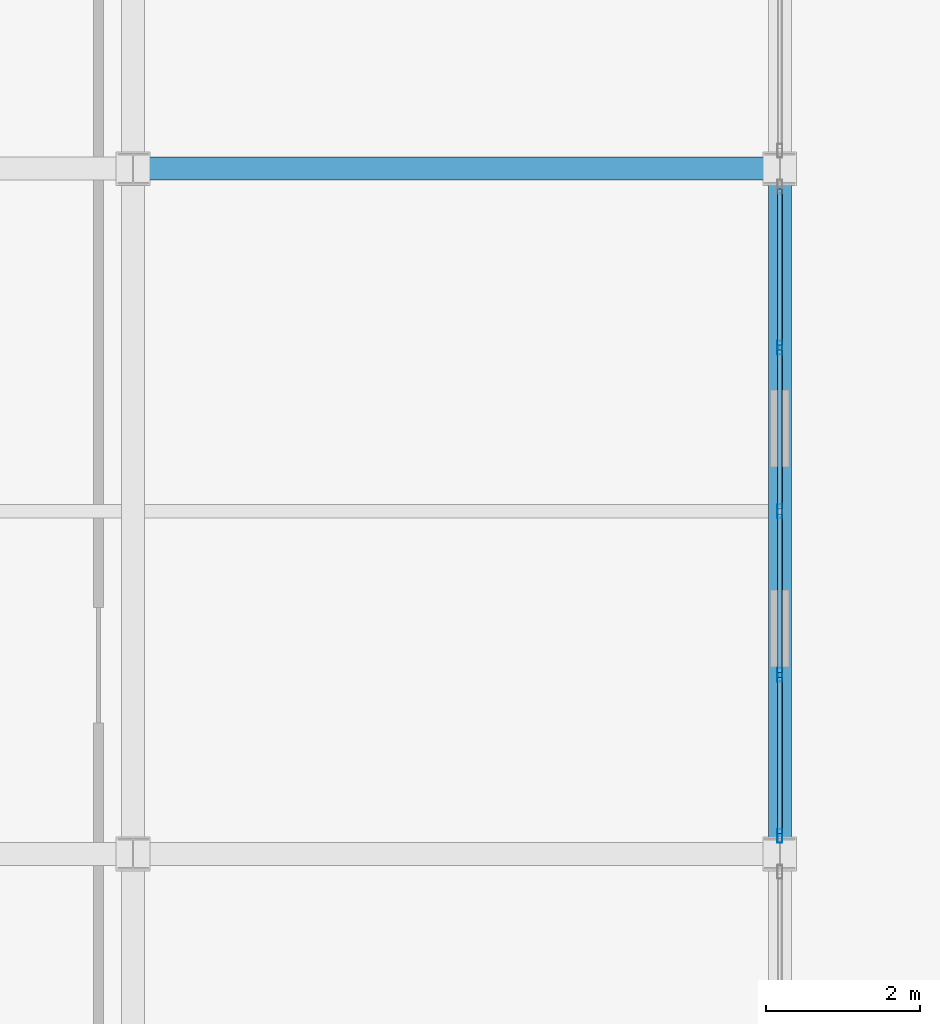
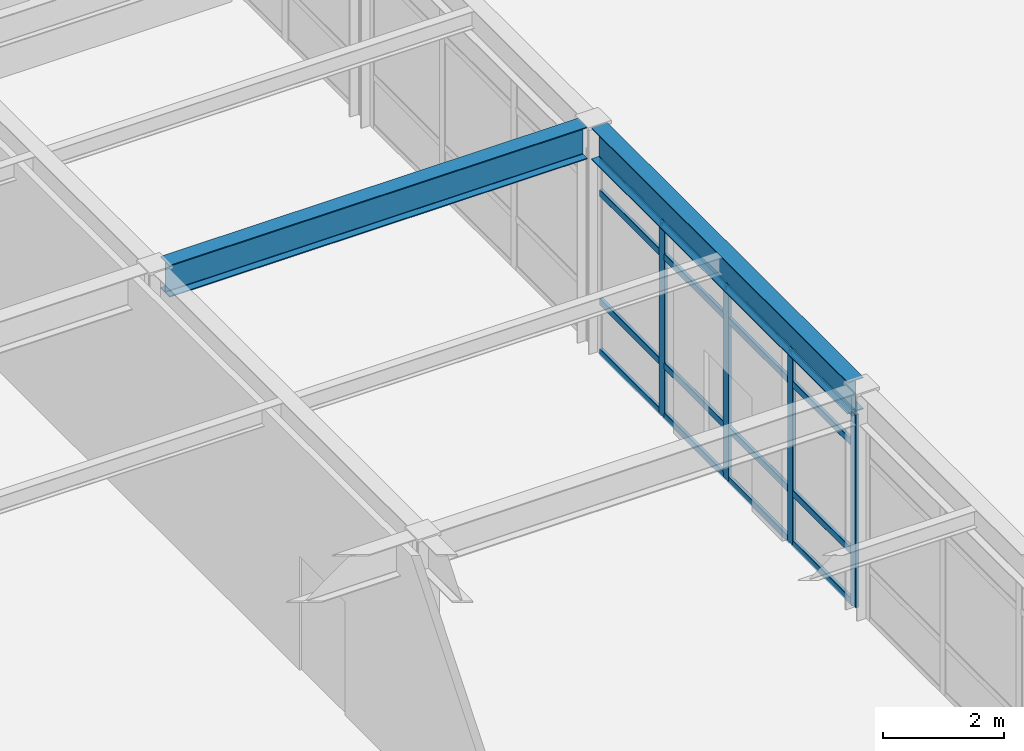
# One storey, part 10 of 61: 20 members, 2 beams, 1 element without a shape of its own.
"""IFC4 building model written with IfcOpenShell, lengths in metres."""

from ifc_helpers import new_model, si_unit, direction, frame, origin, origin_2d, place, context, subcontext, project, spatial, hollow_rectangle, i_section, extrude, material, layer, layer_set, material_profile, profile_set, type_object, element, aggregate, save


model = new_model("IFC4")

# Units and contexts
model_context = context("Model", 3, precision=1e-05, world=origin(), true_north=direction((0.0, 1.0)))
body_context = subcontext(model_context, "Body", "Model", "MODEL_VIEW")
ifc_project = project(units=[si_unit("LENGTHUNIT", "METRE"), si_unit("AREAUNIT", "SQUARE_METRE"), si_unit("VOLUMEUNIT", "CUBIC_METRE"), si_unit("PLANEANGLEUNIT", "RADIAN"), si_unit("MASSUNIT", "GRAM", prefix="KILO")], contexts=[model_context])

# Site, building, storey
site_placement = place(None, origin())
site = spatial("IfcSite", under=ifc_project, at=site_placement, CompositionType="ELEMENT")
building_placement = place(site_placement, origin())
building = spatial("IfcBuilding", under=site, at=building_placement, Name="Kazehara Bluff Congress Hotel", CompositionType="ELEMENT")
storey_placement = place(building_placement, frame((0.0, 0.0, 19.800048828125)))
storey = spatial("IfcBuildingStorey", under=building, at=storey_placement, Name="L04", CompositionType="ELEMENT", Elevation=19.800048828125)

# Curtain wall, members
ifc_material_1 = material(Name="Anodised aluminium", Category="aluminium")
ifc_layer = layer(ifc_material_1, 0.159912109375)
ifc_layer_set = layer_set([ifc_layer], Name="Anodised aluminium")
curtain_wall_type = type_object("IfcCurtainWallType", Name="TP-CW-64", PredefinedType="NOTDEFINED", material=ifc_layer_set)
curtain_wall_placement = place(storey_placement, origin())
curtain_wall = element("IfcCurtainWall", 1, at=curtain_wall_placement, inside=storey, type_object=curtain_wall_type, Name="L04 curtain wall CW-64 CW-V4-L04-X8445-3220", PredefinedType="NOTDEFINED")
ifc_material_2 = material(Name="Anodised aluminium", Category="aluminium")
ifc_material_profile_1 = material_profile(ifc_material_2, hollow_rectangle(XDim=0.06494140625, YDim=0.179931640625, WallThickness=0.00390625, InnerFilletRadius=0.00390625, OuterFilletRadius=0.008056640625, at=origin_2d()))
ifc_profile_set_1 = profile_set([ifc_material_profile_1], Name="Anodised aluminium")
member_type_1 = type_object("IfcMemberType", Name="TP-CWM-02", PredefinedType="MULLION", material=ifc_profile_set_1)
member_1_placement = place(storey_placement, frame((84.449951171875, 32.232421875, 0.0), z_axis=(0.0, 0.0, 1.0), x_axis=(-1.0, 0.0, 0.0)))
member_1 = element("IfcMember", 2, at=member_1_placement, type_object=member_type_1, Name="CW-64 mullion 1", PredefinedType="MULLION", context=body_context, shape_type="SweptSolid", body=[
    extrude(hollow_rectangle(XDim=0.06494140625, YDim=0.179931640625, WallThickness=0.00390625, InnerFilletRadius=0.00390625, OuterFilletRadius=0.008056640625, at=origin_2d()), origin(), (0.0, 0.0, 1.0), 3.905029296875),
])
member_2_placement = place(storey_placement, frame((84.449951171875, 34.324951171875, 0.0), z_axis=(0.0, 0.0, 1.0), x_axis=(-1.0, 0.0, 0.0)))
member_2 = element("IfcMember", 3, at=member_2_placement, type_object=member_type_1, Name="CW-64 mullion 2", PredefinedType="MULLION", context=body_context, shape_type="SweptSolid", body=[
    extrude(hollow_rectangle(XDim=0.06494140625, YDim=0.179931640625, WallThickness=0.00390625, InnerFilletRadius=0.00390625, OuterFilletRadius=0.008056640625, at=origin_2d()), origin(), (0.0, 0.0, 1.0), 3.905029296875),
])
member_3_placement = place(storey_placement, frame((84.449951171875, 36.449951171875, 0.0), z_axis=(0.0, 0.0, 1.0), x_axis=(-1.0, 0.0, 0.0)))
member_3 = element("IfcMember", 4, at=member_3_placement, type_object=member_type_1, Name="CW-64 mullion 3", PredefinedType="MULLION", context=body_context, shape_type="SweptSolid", body=[
    extrude(hollow_rectangle(XDim=0.06494140625, YDim=0.179931640625, WallThickness=0.00390625, InnerFilletRadius=0.00390625, OuterFilletRadius=0.008056640625, at=origin_2d()), origin(), (0.0, 0.0, 1.0), 3.905029296875),
])
member_4_placement = place(storey_placement, frame((84.449951171875, 38.574951171875, 0.0), z_axis=(0.0, 0.0, 1.0), x_axis=(-1.0, 0.0, 0.0)))
member_4 = element("IfcMember", 5, at=member_4_placement, type_object=member_type_1, Name="CW-64 mullion 4", PredefinedType="MULLION", context=body_context, shape_type="SweptSolid", body=[
    extrude(hollow_rectangle(XDim=0.06494140625, YDim=0.179931640625, WallThickness=0.00390625, InnerFilletRadius=0.00390625, OuterFilletRadius=0.008056640625, at=origin_2d()), origin(), (0.0, 0.0, 1.0), 3.905029296875),
])
ifc_material_3 = material(Name="Anodised aluminium", Category="aluminium")
ifc_material_profile_2 = material_profile(ifc_material_3, hollow_rectangle(XDim=0.06494140625, YDim=0.139892578125, WallThickness=0.00390625, InnerFilletRadius=0.00390625, OuterFilletRadius=0.008056640625, at=origin_2d()))
ifc_profile_set_2 = profile_set([ifc_material_profile_2], Name="Anodised aluminium")
member_type_2 = type_object("IfcMemberType", Name="TP-CWT-02", PredefinedType="USERDEFINED", material=ifc_profile_set_2)
member_5_placement = place(storey_placement, frame((84.449951171875, 32.264892578125, 0.032470703125), z_axis=(0.0, 1.0, 0.0), x_axis=(-1.0, 0.0, 0.0)))
member_5 = element("IfcMember", 6, at=member_5_placement, type_object=member_type_2, Name="CW-64 transom 1.1", ObjectType="TRANSOM", PredefinedType="USERDEFINED", context=body_context, shape_type="SweptSolid", body=[
    extrude(hollow_rectangle(XDim=0.06494140625, YDim=0.139892578125, WallThickness=0.00390625, InnerFilletRadius=0.00390625, OuterFilletRadius=0.008056640625, at=origin_2d()), origin(), (0.0, 0.0, 1.0), 2.027587890625),
])
member_6_placement = place(storey_placement, frame((84.449951171875, 32.264892578125, 1.050048828125), z_axis=(0.0, 1.0, 0.0), x_axis=(-1.0, 0.0, 0.0)))
member_6 = element("IfcMember", 7, at=member_6_placement, type_object=member_type_2, Name="CW-64 transom 1.2", ObjectType="TRANSOM", PredefinedType="USERDEFINED", context=body_context, shape_type="SweptSolid", body=[
    extrude(hollow_rectangle(XDim=0.06494140625, YDim=0.139892578125, WallThickness=0.00390625, InnerFilletRadius=0.00390625, OuterFilletRadius=0.008056640625, at=origin_2d()), origin(), (0.0, 0.0, 1.0), 2.027587890625),
])
member_7_placement = place(storey_placement, frame((84.449951171875, 32.264892578125, 3.2548828125), z_axis=(0.0, 1.0, 0.0), x_axis=(-1.0, 0.0, 0.0)))
member_7 = element("IfcMember", 8, at=member_7_placement, type_object=member_type_2, Name="CW-64 transom 1.3", ObjectType="TRANSOM", PredefinedType="USERDEFINED", context=body_context, shape_type="SweptSolid", body=[
    extrude(hollow_rectangle(XDim=0.06494140625, YDim=0.139892578125, WallThickness=0.00390625, InnerFilletRadius=0.00390625, OuterFilletRadius=0.008056640625, at=origin_2d()), origin(), (0.0, 0.0, 1.0), 2.027587890625),
])
member_8_placement = place(storey_placement, frame((84.449951171875, 32.264892578125, 3.87255859375), z_axis=(0.0, 1.0, 0.0), x_axis=(-1.0, 0.0, 0.0)))
member_8 = element("IfcMember", 9, at=member_8_placement, type_object=member_type_2, Name="CW-64 transom 1.4", ObjectType="TRANSOM", PredefinedType="USERDEFINED", context=body_context, shape_type="SweptSolid", body=[
    extrude(hollow_rectangle(XDim=0.06494140625, YDim=0.139892578125, WallThickness=0.00390625, InnerFilletRadius=0.00390625, OuterFilletRadius=0.008056640625, at=origin_2d()), origin(), (0.0, 0.0, 1.0), 2.027587890625),
])
member_9_placement = place(storey_placement, frame((84.449951171875, 34.357421875, 0.032470703125), z_axis=(0.0, 1.0, 0.0), x_axis=(-1.0, 0.0, 0.0)))
member_9 = element("IfcMember", 10, at=member_9_placement, type_object=member_type_2, Name="CW-64 transom 2.1", ObjectType="TRANSOM", PredefinedType="USERDEFINED", context=body_context, shape_type="SweptSolid", body=[
    extrude(hollow_rectangle(XDim=0.06494140625, YDim=0.139892578125, WallThickness=0.00390625, InnerFilletRadius=0.00390625, OuterFilletRadius=0.008056640625, at=origin_2d()), origin(), (0.0, 0.0, 1.0), 2.06005859375),
])
member_10_placement = place(storey_placement, frame((84.449951171875, 34.357421875, 1.050048828125), z_axis=(0.0, 1.0, 0.0), x_axis=(-1.0, 0.0, 0.0)))
member_10 = element("IfcMember", 11, at=member_10_placement, type_object=member_type_2, Name="CW-64 transom 2.2", ObjectType="TRANSOM", PredefinedType="USERDEFINED", context=body_context, shape_type="SweptSolid", body=[
    extrude(hollow_rectangle(XDim=0.06494140625, YDim=0.139892578125, WallThickness=0.00390625, InnerFilletRadius=0.00390625, OuterFilletRadius=0.008056640625, at=origin_2d()), origin(), (0.0, 0.0, 1.0), 2.06005859375),
])
member_11_placement = place(storey_placement, frame((84.449951171875, 34.357421875, 3.2548828125), z_axis=(0.0, 1.0, 0.0), x_axis=(-1.0, 0.0, 0.0)))
member_11 = element("IfcMember", 12, at=member_11_placement, type_object=member_type_2, Name="CW-64 transom 2.3", ObjectType="TRANSOM", PredefinedType="USERDEFINED", context=body_context, shape_type="SweptSolid", body=[
    extrude(hollow_rectangle(XDim=0.06494140625, YDim=0.139892578125, WallThickness=0.00390625, InnerFilletRadius=0.00390625, OuterFilletRadius=0.008056640625, at=origin_2d()), origin(), (0.0, 0.0, 1.0), 2.06005859375),
])
member_12_placement = place(storey_placement, frame((84.449951171875, 34.357421875, 3.87255859375), z_axis=(0.0, 1.0, 0.0), x_axis=(-1.0, 0.0, 0.0)))
member_12 = element("IfcMember", 13, at=member_12_placement, type_object=member_type_2, Name="CW-64 transom 2.4", ObjectType="TRANSOM", PredefinedType="USERDEFINED", context=body_context, shape_type="SweptSolid", body=[
    extrude(hollow_rectangle(XDim=0.06494140625, YDim=0.139892578125, WallThickness=0.00390625, InnerFilletRadius=0.00390625, OuterFilletRadius=0.008056640625, at=origin_2d()), origin(), (0.0, 0.0, 1.0), 2.06005859375),
])
member_13_placement = place(storey_placement, frame((84.449951171875, 36.482421875, 0.032470703125), z_axis=(0.0, 1.0, 0.0), x_axis=(-1.0, 0.0, 0.0)))
member_13 = element("IfcMember", 14, at=member_13_placement, type_object=member_type_2, Name="CW-64 transom 3.1", ObjectType="TRANSOM", PredefinedType="USERDEFINED", context=body_context, shape_type="SweptSolid", body=[
    extrude(hollow_rectangle(XDim=0.06494140625, YDim=0.139892578125, WallThickness=0.00390625, InnerFilletRadius=0.00390625, OuterFilletRadius=0.008056640625, at=origin_2d()), origin(), (0.0, 0.0, 1.0), 2.06005859375),
])
member_14_placement = place(storey_placement, frame((84.449951171875, 36.482421875, 1.050048828125), z_axis=(0.0, 1.0, 0.0), x_axis=(-1.0, 0.0, 0.0)))
member_14 = element("IfcMember", 15, at=member_14_placement, type_object=member_type_2, Name="CW-64 transom 3.2", ObjectType="TRANSOM", PredefinedType="USERDEFINED", context=body_context, shape_type="SweptSolid", body=[
    extrude(hollow_rectangle(XDim=0.06494140625, YDim=0.139892578125, WallThickness=0.00390625, InnerFilletRadius=0.00390625, OuterFilletRadius=0.008056640625, at=origin_2d()), origin(), (0.0, 0.0, 1.0), 2.06005859375),
])
member_15_placement = place(storey_placement, frame((84.449951171875, 36.482421875, 3.2548828125), z_axis=(0.0, 1.0, 0.0), x_axis=(-1.0, 0.0, 0.0)))
member_15 = element("IfcMember", 16, at=member_15_placement, type_object=member_type_2, Name="CW-64 transom 3.3", ObjectType="TRANSOM", PredefinedType="USERDEFINED", context=body_context, shape_type="SweptSolid", body=[
    extrude(hollow_rectangle(XDim=0.06494140625, YDim=0.139892578125, WallThickness=0.00390625, InnerFilletRadius=0.00390625, OuterFilletRadius=0.008056640625, at=origin_2d()), origin(), (0.0, 0.0, 1.0), 2.06005859375),
])
member_16_placement = place(storey_placement, frame((84.449951171875, 36.482421875, 3.87255859375), z_axis=(0.0, 1.0, 0.0), x_axis=(-1.0, 0.0, 0.0)))
member_16 = element("IfcMember", 17, at=member_16_placement, type_object=member_type_2, Name="CW-64 transom 3.4", ObjectType="TRANSOM", PredefinedType="USERDEFINED", context=body_context, shape_type="SweptSolid", body=[
    extrude(hollow_rectangle(XDim=0.06494140625, YDim=0.139892578125, WallThickness=0.00390625, InnerFilletRadius=0.00390625, OuterFilletRadius=0.008056640625, at=origin_2d()), origin(), (0.0, 0.0, 1.0), 2.06005859375),
])
member_17_placement = place(storey_placement, frame((84.449951171875, 38.607421875, 0.032470703125), z_axis=(0.0, 1.0, 0.0), x_axis=(-1.0, 0.0, 0.0)))
member_17 = element("IfcMember", 18, at=member_17_placement, type_object=member_type_2, Name="CW-64 transom 4.1", ObjectType="TRANSOM", PredefinedType="USERDEFINED", context=body_context, shape_type="SweptSolid", body=[
    extrude(hollow_rectangle(XDim=0.06494140625, YDim=0.139892578125, WallThickness=0.00390625, InnerFilletRadius=0.00390625, OuterFilletRadius=0.008056640625, at=origin_2d()), origin(), (0.0, 0.0, 1.0), 2.027587890625),
])
member_18_placement = place(storey_placement, frame((84.449951171875, 38.607421875, 1.050048828125), z_axis=(0.0, 1.0, 0.0), x_axis=(-1.0, 0.0, 0.0)))
member_18 = element("IfcMember", 19, at=member_18_placement, type_object=member_type_2, Name="CW-64 transom 4.2", ObjectType="TRANSOM", PredefinedType="USERDEFINED", context=body_context, shape_type="SweptSolid", body=[
    extrude(hollow_rectangle(XDim=0.06494140625, YDim=0.139892578125, WallThickness=0.00390625, InnerFilletRadius=0.00390625, OuterFilletRadius=0.008056640625, at=origin_2d()), origin(), (0.0, 0.0, 1.0), 2.027587890625),
])
member_19_placement = place(storey_placement, frame((84.449951171875, 38.607421875, 3.2548828125), z_axis=(0.0, 1.0, 0.0), x_axis=(-1.0, 0.0, 0.0)))
member_19 = element("IfcMember", 20, at=member_19_placement, type_object=member_type_2, Name="CW-64 transom 4.3", ObjectType="TRANSOM", PredefinedType="USERDEFINED", context=body_context, shape_type="SweptSolid", body=[
    extrude(hollow_rectangle(XDim=0.06494140625, YDim=0.139892578125, WallThickness=0.00390625, InnerFilletRadius=0.00390625, OuterFilletRadius=0.008056640625, at=origin_2d()), origin(), (0.0, 0.0, 1.0), 2.027587890625),
])
member_20_placement = place(storey_placement, frame((84.449951171875, 38.607421875, 3.87255859375), z_axis=(0.0, 1.0, 0.0), x_axis=(-1.0, 0.0, 0.0)))
member_20 = element("IfcMember", 21, at=member_20_placement, type_object=member_type_2, Name="CW-64 transom 4.4", ObjectType="TRANSOM", PredefinedType="USERDEFINED", context=body_context, shape_type="SweptSolid", body=[
    extrude(hollow_rectangle(XDim=0.06494140625, YDim=0.139892578125, WallThickness=0.00390625, InnerFilletRadius=0.00390625, OuterFilletRadius=0.008056640625, at=origin_2d()), origin(), (0.0, 0.0, 1.0), 2.027587890625),
])
aggregate(curtain_wall, [member_1, member_2, member_3, member_4, member_5, member_6, member_7, member_8, member_9, member_10, member_11, member_12, member_13, member_14, member_15, member_16, member_17, member_18, member_19, member_20])

# Beams
ifc_material_4 = material(Name="Steel SN490B", Category="steel")
ifc_material_profile_3 = material_profile(ifc_material_4, i_section(OverallWidth=0.300048828125, OverallDepth=0.64990234375, WebThickness=0.011962890625, FlangeThickness=0.02001953125, FilletRadius=0.012939453125, at=origin_2d()))
ifc_profile_set_3 = profile_set([ifc_material_profile_3], Name="Steel SN490B")
beam_type = type_object("IfcBeamType", Name="TP-G-03", PredefinedType="BEAM", material=ifc_profile_set_3)
beam_1_placement = place(storey_placement, frame((84.449951171875, 32.199951171875, 4.2548828125), z_axis=(0.0, 1.0, 0.0), x_axis=(-1.0, 0.0, 0.0)))
element("IfcBeam", 22, at=beam_1_placement, inside=storey, type_object=beam_type, Name="L04 girder G-03 15", PredefinedType="BEAM", context=body_context, shape_type="SweptSolid", body=[
    extrude(i_section(OverallWidth=0.300048828125, OverallDepth=0.64990234375, WebThickness=0.011962890625, FlangeThickness=0.02001953125, FilletRadius=0.012939453125, at=origin_2d()), origin(), (0.0, 0.0, 1.0), 8.5),
])
beam_2_placement = place(storey_placement, frame((76.25, 40.89990234375, 4.2548828125), z_axis=(1.0, 0.0, 0.0), x_axis=(0.0, 1.0, 0.0)))
element("IfcBeam", 23, at=beam_2_placement, inside=storey, type_object=beam_type, Name="L04 girder G-03 26", PredefinedType="BEAM", context=body_context, shape_type="SweptSolid", body=[
    extrude(i_section(OverallWidth=0.300048828125, OverallDepth=0.64990234375, WebThickness=0.011962890625, FlangeThickness=0.02001953125, FilletRadius=0.012939453125, at=origin_2d()), origin(), (0.0, 0.0, 1.0), 8.0),
])

save(model, "model.ifc")
